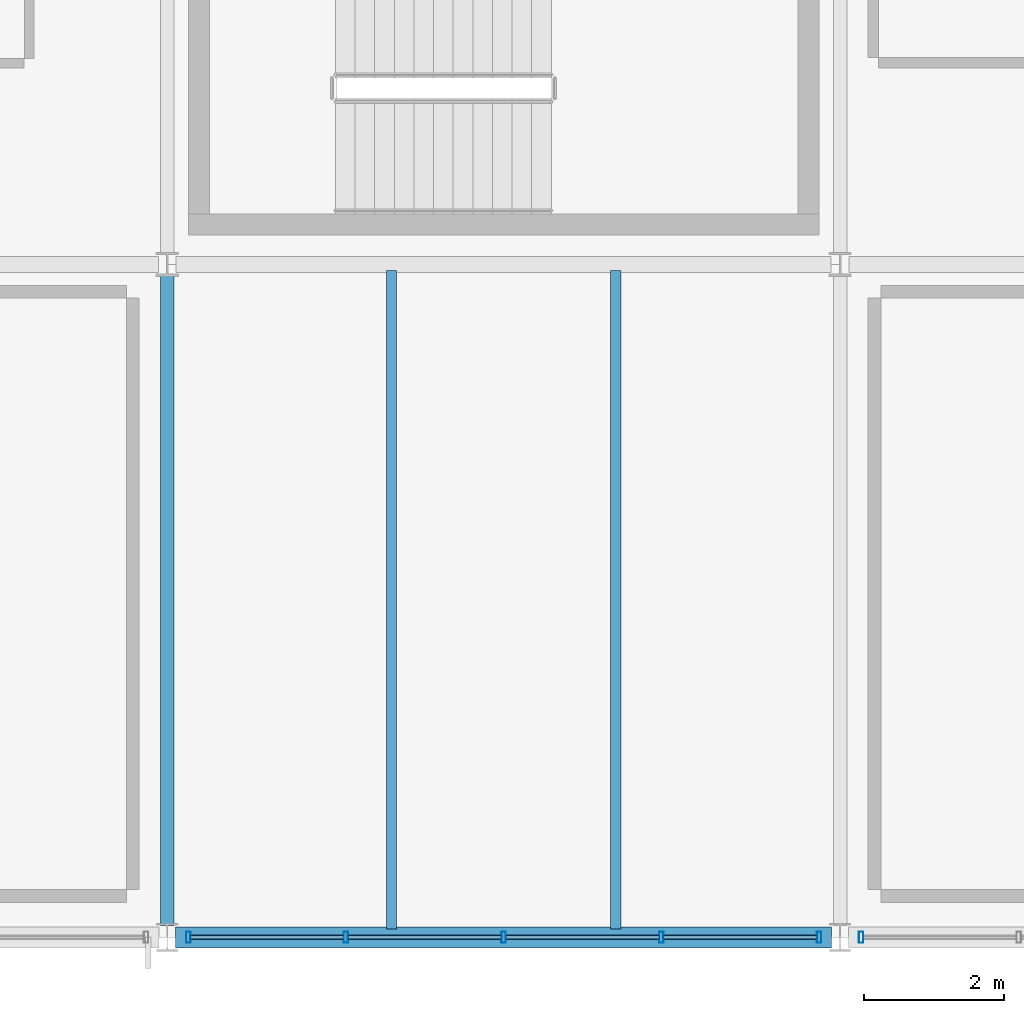
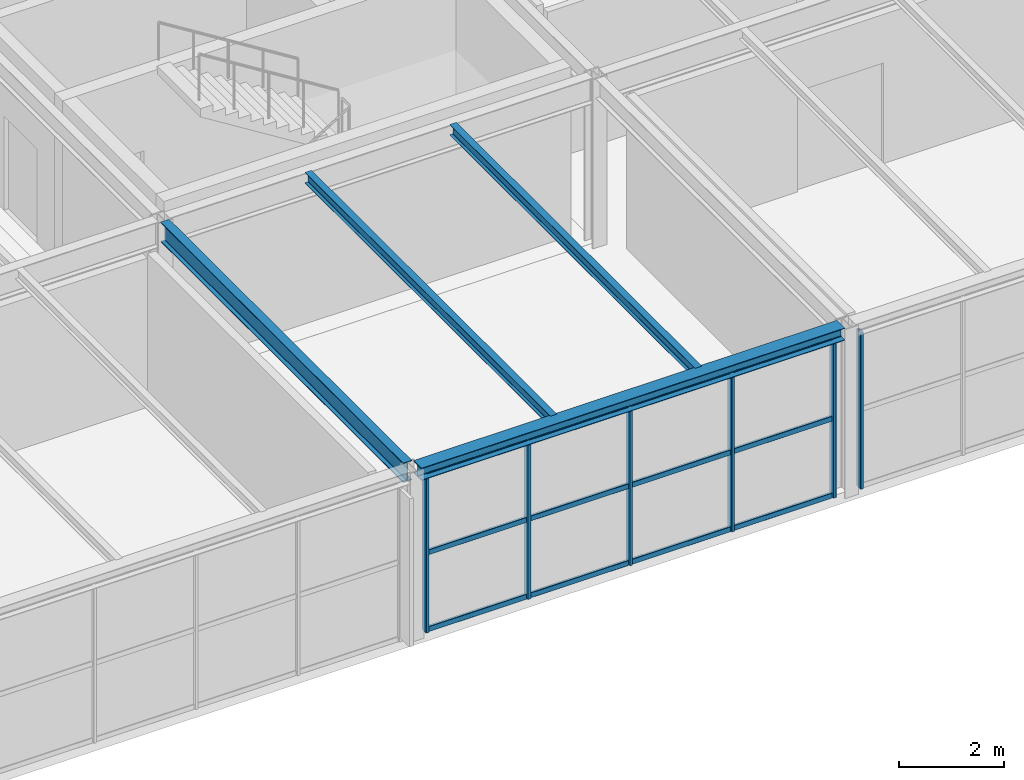
# One storey, part 27 of 126: 18 members, 4 beams, 2 elements without a shape of their own.
"""IFC4 building model written with IfcOpenShell, lengths in metres."""

from ifc_helpers import new_model, si_unit, direction, frame, origin, origin_2d, place, context, subcontext, project, spatial, hollow_rectangle, i_section, extrude, material, material_profile, profile_set, type_object, element, aggregate, save


model = new_model("IFC4")

# Units and contexts
model_context = context("Model", 3, precision=1e-05, world=origin(), true_north=direction((0.0, 1.0)))
body_context = subcontext(model_context, "Body", "Model", "MODEL_VIEW")
ifc_project = project(units=[si_unit("LENGTHUNIT", "METRE"), si_unit("AREAUNIT", "SQUARE_METRE"), si_unit("VOLUMEUNIT", "CUBIC_METRE"), si_unit("PLANEANGLEUNIT", "RADIAN"), si_unit("MASSUNIT", "GRAM", prefix="KILO")], contexts=[model_context])

# Site, building, storey
site_placement = place(None, origin())
site = spatial("IfcSite", under=ifc_project, at=site_placement, CompositionType="ELEMENT")
building_placement = place(site_placement, origin())
building = spatial("IfcBuilding", under=site, at=building_placement, Name="Coralgate Yard Interchange", CompositionType="ELEMENT")
storey_placement = place(building_placement, frame((0.0, 0.0, 10.5)))
storey = spatial("IfcBuildingStorey", under=building, at=storey_placement, Name="L02", CompositionType="ELEMENT", Elevation=10.5)

# Beams
ifc_material_1 = material(Name="Structural steel S355J2", Category="steel")
ifc_material_profile_1 = material_profile(ifc_material_1, i_section(OverallWidth=0.1904296875, OverallDepth=0.45703125, WebThickness=0.009033203125, FlangeThickness=0.014404296875, FilletRadius=0.01025390625, at=origin_2d()), Name="UB 457x191x74")
ifc_profile_set_1 = profile_set([ifc_material_profile_1], Name="Structural steel S355J2")
beam_type_1 = type_object("IfcBeamType", Name="BM-SB-2", PredefinedType="BEAM", material=ifc_profile_set_1)
beam_1_placement = place(storey_placement, frame((48.0, 0.169921875, 3.721435546875), z_axis=(0.0, 1.0, 0.0), x_axis=(-1.0, 0.0, 0.0)))
element("IfcBeam", 1, at=beam_1_placement, inside=storey, type_object=beam_type_1, Name="L02 primary grid girder X5 Y0-1", PredefinedType="BEAM", context=body_context, shape_type="SweptSolid", body=[
    extrude(i_section(OverallWidth=0.1904296875, OverallDepth=0.45703125, WebThickness=0.009033203125, FlangeThickness=0.014404296875, FilletRadius=0.01025390625, at=origin_2d()), origin(), (0.0, 0.0, 1.0), 9.2900390625),
])
ifc_material_profile_2 = material_profile(ifc_material_1, i_section(OverallWidth=0.14599609375, OverallDepth=0.25146484375, WebThickness=0.006103515625, FlangeThickness=0.008544921875, FilletRadius=0.007568359375, at=origin_2d()), Name="UB 254x146x31")
ifc_profile_set_2 = profile_set([ifc_material_profile_2], Name="Structural steel S355J2")
beam_type_2 = type_object("IfcBeamType", Name="BM-SJ-2", PredefinedType="JOIST", material=ifc_profile_set_2)
for number, where, z_axis, x_axis, name in (
    (2, (51.199951171875, 0.1201171875, 3.82421875), (0.0, 1.0, 0.0), (-1.0, 0.0, 0.0), "L02 composite floor joist 5-0-1"),
    (3, (54.39990234375, 0.1201171875, 3.82421875), (0.0, 1.0, 0.0), (-1.0, 0.0, 0.0), "L02 composite floor joist 5-0-2"),
):
    element("IfcBeam", number, at=place(storey_placement, frame(where, z_axis=z_axis, x_axis=x_axis)), inside=storey, type_object=beam_type_2, Name=name, PredefinedType="JOIST", context=body_context, shape_type="SweptSolid", body=[
        extrude(i_section(OverallWidth=0.14599609375, OverallDepth=0.25146484375, WebThickness=0.006103515625, FlangeThickness=0.008544921875, FilletRadius=0.007568359375, at=origin_2d()), origin(), (0.0, 0.0, 1.0), 9.395751953125),
    ])
ifc_material_profile_3 = material_profile(ifc_material_1, i_section(OverallWidth=0.300048828125, OverallDepth=0.2900390625, WebThickness=0.008544921875, FlangeThickness=0.013916015625, FilletRadius=0.027099609375, at=origin_2d()), Name="HEA 300")
ifc_profile_set_3 = profile_set([ifc_material_profile_3], Name="Structural steel S355J2")
beam_type_3 = type_object("IfcBeamType", Name="BM-SP-2", PredefinedType="SPANDREL", material=ifc_profile_set_3)
beam_2_placement = place(storey_placement, frame((48.1201171875, 0.0, 3.804931640625), z_axis=(1.0, 0.0, 0.0), x_axis=(0.0, 1.0, 0.0)))
element("IfcBeam", 4, at=beam_2_placement, inside=storey, type_object=beam_type_3, Name="L02 primary grid beam Y0 X5-6", PredefinedType="SPANDREL", context=body_context, shape_type="SweptSolid", body=[
    extrude(i_section(OverallWidth=0.300048828125, OverallDepth=0.2900390625, WebThickness=0.008544921875, FlangeThickness=0.013916015625, FilletRadius=0.027099609375, at=origin_2d()), origin(), (0.0, 0.0, 1.0), 9.35986328125),
])

# Curtain wall, members
ifc_material_2 = material(Name="Anodised coastal aluminium and solar-control low-E glass", Category="aluminium")
curtain_wall_type = type_object("IfcCurtainWallType", Name="CW-CW-L02-A", PredefinedType="NOTDEFINED", material=ifc_material_2)
curtain_wall_1_placement = place(storey_placement, origin())
curtain_wall_1 = element("IfcCurtainWall", 5, at=curtain_wall_1_placement, inside=storey, type_object=curtain_wall_type, Name="L02 unitised curtain wall CW-L02-S-05-00", PredefinedType="NOTDEFINED")
ifc_material_3 = material(Name="Anodised coastal aluminium 6063-T6", Category="aluminium")
ifc_material_profile_4 = material_profile(ifc_material_3, hollow_rectangle(XDim=0.06494140625, YDim=0.159912109375, WallThickness=0.00390625, InnerFilletRadius=0.00390625, OuterFilletRadius=0.008056640625, at=origin_2d()), Name="ALU 65x160x4")
ifc_profile_set_4 = profile_set([ifc_material_profile_4], Name="Anodised coastal aluminium 6063-T6")
member_type_1 = type_object("IfcMemberType", Name="MB-MUL-160", PredefinedType="MULLION", material=ifc_profile_set_4)
member_1_placement = place(storey_placement, frame((57.300048828125, 0.0, 0.0), z_axis=(0.0, 0.0, 1.0), x_axis=(1.0, 0.0, 0.0)))
member_1 = element("IfcMember", 6, at=member_1_placement, type_object=member_type_1, Name="CW-L02-S-05-00 vertical mullion 1", PredefinedType="MULLION", context=body_context, shape_type="SweptSolid", body=[
    extrude(hollow_rectangle(XDim=0.06494140625, YDim=0.159912109375, WallThickness=0.00390625, InnerFilletRadius=0.00390625, OuterFilletRadius=0.008056640625, at=origin_2d()), origin(), (0.0, 0.0, 1.0), 3.659912109375),
])
member_2_placement = place(storey_placement, frame((55.050048828125, 0.0, 0.0), z_axis=(0.0, 0.0, 1.0), x_axis=(1.0, 0.0, 0.0)))
member_2 = element("IfcMember", 7, at=member_2_placement, type_object=member_type_1, Name="CW-L02-S-05-00 vertical mullion 2", PredefinedType="MULLION", context=body_context, shape_type="SweptSolid", body=[
    extrude(hollow_rectangle(XDim=0.06494140625, YDim=0.159912109375, WallThickness=0.00390625, InnerFilletRadius=0.00390625, OuterFilletRadius=0.008056640625, at=origin_2d()), origin(), (0.0, 0.0, 1.0), 3.659912109375),
])
member_3_placement = place(storey_placement, frame((52.800048828125, 0.0, 0.0), z_axis=(0.0, 0.0, 1.0), x_axis=(1.0, 0.0, 0.0)))
member_3 = element("IfcMember", 8, at=member_3_placement, type_object=member_type_1, Name="CW-L02-S-05-00 vertical mullion 3", PredefinedType="MULLION", context=body_context, shape_type="SweptSolid", body=[
    extrude(hollow_rectangle(XDim=0.06494140625, YDim=0.159912109375, WallThickness=0.00390625, InnerFilletRadius=0.00390625, OuterFilletRadius=0.008056640625, at=origin_2d()), origin(), (0.0, 0.0, 1.0), 3.659912109375),
])
member_4_placement = place(storey_placement, frame((50.550048828125, 0.0, 0.0), z_axis=(0.0, 0.0, 1.0), x_axis=(1.0, 0.0, 0.0)))
member_4 = element("IfcMember", 9, at=member_4_placement, type_object=member_type_1, Name="CW-L02-S-05-00 vertical mullion 4", PredefinedType="MULLION", context=body_context, shape_type="SweptSolid", body=[
    extrude(hollow_rectangle(XDim=0.06494140625, YDim=0.159912109375, WallThickness=0.00390625, InnerFilletRadius=0.00390625, OuterFilletRadius=0.008056640625, at=origin_2d()), origin(), (0.0, 0.0, 1.0), 3.659912109375),
])
member_5_placement = place(storey_placement, frame((48.300048828125, 0.0, 0.0), z_axis=(0.0, 0.0, 1.0), x_axis=(1.0, 0.0, 0.0)))
member_5 = element("IfcMember", 10, at=member_5_placement, type_object=member_type_1, Name="CW-L02-S-05-00 vertical mullion 5", PredefinedType="MULLION", context=body_context, shape_type="SweptSolid", body=[
    extrude(hollow_rectangle(XDim=0.06494140625, YDim=0.159912109375, WallThickness=0.00390625, InnerFilletRadius=0.00390625, OuterFilletRadius=0.008056640625, at=origin_2d()), origin(), (0.0, 0.0, 1.0), 3.659912109375),
])

# Curtain wall, member
curtain_wall_2_placement = place(storey_placement, origin())
curtain_wall_2 = element("IfcCurtainWall", 11, at=curtain_wall_2_placement, inside=storey, type_object=curtain_wall_type, Name="L02 unitised curtain wall CW-L02-S-06-00", PredefinedType="NOTDEFINED")
member_6_placement = place(storey_placement, frame((57.89990234375, 0.0, 0.0), z_axis=(0.0, 0.0, 1.0), x_axis=(1.0, 0.0, 0.0)))
member_6 = element("IfcMember", 12, at=member_6_placement, type_object=member_type_1, Name="CW-L02-S-06-00 vertical mullion 5", PredefinedType="MULLION", context=body_context, shape_type="SweptSolid", body=[
    extrude(hollow_rectangle(XDim=0.06494140625, YDim=0.159912109375, WallThickness=0.00390625, InnerFilletRadius=0.00390625, OuterFilletRadius=0.008056640625, at=origin_2d()), origin(), (0.0, 0.0, 1.0), 3.659912109375),
])
aggregate(curtain_wall_2, [member_6])

# Member
ifc_material_profile_5 = material_profile(ifc_material_3, hollow_rectangle(XDim=0.06005859375, YDim=0.1201171875, WallThickness=0.00341796875, InnerFilletRadius=0.00341796875, OuterFilletRadius=0.007080078125, at=origin_2d()), Name="ALU 60x120x3.5")
ifc_profile_set_5 = profile_set([ifc_material_profile_5], Name="Anodised coastal aluminium 6063-T6")
member_type_2 = type_object("IfcMemberType", Name="MB-TRN-120", PredefinedType="USERDEFINED", material=ifc_profile_set_5)
member_7_placement = place(storey_placement, frame((57.27001953125, 0.0, 0.034912109375), z_axis=(-1.0, 0.0, 0.0), x_axis=(0.0, -1.0, 0.0)))
member_7 = element("IfcMember", 13, at=member_7_placement, type_object=member_type_2, Name="CW-L02-S-05-00 horizontal transom 1-1", ObjectType="TRANSOM", PredefinedType="USERDEFINED", context=body_context, shape_type="SweptSolid", body=[
    extrude(hollow_rectangle(XDim=0.06005859375, YDim=0.1201171875, WallThickness=0.00341796875, InnerFilletRadius=0.00341796875, OuterFilletRadius=0.007080078125, at=origin_2d()), origin(), (0.0, 0.0, 1.0), 2.18994140625),
])

member_8_placement = place(storey_placement, frame((57.27001953125, 0.0, 1.830078125), z_axis=(-1.0, 0.0, 0.0), x_axis=(0.0, -1.0, 0.0)))
member_8 = element("IfcMember", 14, at=member_8_placement, type_object=member_type_2, Name="CW-L02-S-05-00 horizontal transom 1-2", ObjectType="TRANSOM", PredefinedType="USERDEFINED", context=body_context, shape_type="SweptSolid", body=[
    extrude(hollow_rectangle(XDim=0.06005859375, YDim=0.1201171875, WallThickness=0.00341796875, InnerFilletRadius=0.00341796875, OuterFilletRadius=0.007080078125, at=origin_2d()), origin(), (0.0, 0.0, 1.0), 2.18994140625),
])

member_9_placement = place(storey_placement, frame((57.27001953125, 0.0, 3.625), z_axis=(-1.0, 0.0, 0.0), x_axis=(0.0, -1.0, 0.0)))
member_9 = element("IfcMember", 15, at=member_9_placement, type_object=member_type_2, Name="CW-L02-S-05-00 horizontal transom 1-3", ObjectType="TRANSOM", PredefinedType="USERDEFINED", context=body_context, shape_type="SweptSolid", body=[
    extrude(hollow_rectangle(XDim=0.06005859375, YDim=0.1201171875, WallThickness=0.00341796875, InnerFilletRadius=0.00341796875, OuterFilletRadius=0.007080078125, at=origin_2d()), origin(), (0.0, 0.0, 1.0), 2.18994140625),
])

member_10_placement = place(storey_placement, frame((55.02001953125, 0.0, 0.034912109375), z_axis=(-1.0, 0.0, 0.0), x_axis=(0.0, -1.0, 0.0)))
member_10 = element("IfcMember", 16, at=member_10_placement, type_object=member_type_2, Name="CW-L02-S-05-00 horizontal transom 2-1", ObjectType="TRANSOM", PredefinedType="USERDEFINED", context=body_context, shape_type="SweptSolid", body=[
    extrude(hollow_rectangle(XDim=0.06005859375, YDim=0.1201171875, WallThickness=0.00341796875, InnerFilletRadius=0.00341796875, OuterFilletRadius=0.007080078125, at=origin_2d()), origin(), (0.0, 0.0, 1.0), 2.18994140625),
])

member_11_placement = place(storey_placement, frame((55.02001953125, 0.0, 1.830078125), z_axis=(-1.0, 0.0, 0.0), x_axis=(0.0, -1.0, 0.0)))
member_11 = element("IfcMember", 17, at=member_11_placement, type_object=member_type_2, Name="CW-L02-S-05-00 horizontal transom 2-2", ObjectType="TRANSOM", PredefinedType="USERDEFINED", context=body_context, shape_type="SweptSolid", body=[
    extrude(hollow_rectangle(XDim=0.06005859375, YDim=0.1201171875, WallThickness=0.00341796875, InnerFilletRadius=0.00341796875, OuterFilletRadius=0.007080078125, at=origin_2d()), origin(), (0.0, 0.0, 1.0), 2.18994140625),
])

member_12_placement = place(storey_placement, frame((55.02001953125, 0.0, 3.625), z_axis=(-1.0, 0.0, 0.0), x_axis=(0.0, -1.0, 0.0)))
member_12 = element("IfcMember", 18, at=member_12_placement, type_object=member_type_2, Name="CW-L02-S-05-00 horizontal transom 2-3", ObjectType="TRANSOM", PredefinedType="USERDEFINED", context=body_context, shape_type="SweptSolid", body=[
    extrude(hollow_rectangle(XDim=0.06005859375, YDim=0.1201171875, WallThickness=0.00341796875, InnerFilletRadius=0.00341796875, OuterFilletRadius=0.007080078125, at=origin_2d()), origin(), (0.0, 0.0, 1.0), 2.18994140625),
])

member_13_placement = place(storey_placement, frame((52.77001953125, 0.0, 0.034912109375), z_axis=(-1.0, 0.0, 0.0), x_axis=(0.0, -1.0, 0.0)))
member_13 = element("IfcMember", 19, at=member_13_placement, type_object=member_type_2, Name="CW-L02-S-05-00 horizontal transom 3-1", ObjectType="TRANSOM", PredefinedType="USERDEFINED", context=body_context, shape_type="SweptSolid", body=[
    extrude(hollow_rectangle(XDim=0.06005859375, YDim=0.1201171875, WallThickness=0.00341796875, InnerFilletRadius=0.00341796875, OuterFilletRadius=0.007080078125, at=origin_2d()), origin(), (0.0, 0.0, 1.0), 2.18994140625),
])

member_14_placement = place(storey_placement, frame((52.77001953125, 0.0, 1.830078125), z_axis=(-1.0, 0.0, 0.0), x_axis=(0.0, -1.0, 0.0)))
member_14 = element("IfcMember", 20, at=member_14_placement, type_object=member_type_2, Name="CW-L02-S-05-00 horizontal transom 3-2", ObjectType="TRANSOM", PredefinedType="USERDEFINED", context=body_context, shape_type="SweptSolid", body=[
    extrude(hollow_rectangle(XDim=0.06005859375, YDim=0.1201171875, WallThickness=0.00341796875, InnerFilletRadius=0.00341796875, OuterFilletRadius=0.007080078125, at=origin_2d()), origin(), (0.0, 0.0, 1.0), 2.18994140625),
])

member_15_placement = place(storey_placement, frame((52.77001953125, 0.0, 3.625), z_axis=(-1.0, 0.0, 0.0), x_axis=(0.0, -1.0, 0.0)))
member_15 = element("IfcMember", 21, at=member_15_placement, type_object=member_type_2, Name="CW-L02-S-05-00 horizontal transom 3-3", ObjectType="TRANSOM", PredefinedType="USERDEFINED", context=body_context, shape_type="SweptSolid", body=[
    extrude(hollow_rectangle(XDim=0.06005859375, YDim=0.1201171875, WallThickness=0.00341796875, InnerFilletRadius=0.00341796875, OuterFilletRadius=0.007080078125, at=origin_2d()), origin(), (0.0, 0.0, 1.0), 2.18994140625),
])

member_16_placement = place(storey_placement, frame((50.52001953125, 0.0, 0.034912109375), z_axis=(-1.0, 0.0, 0.0), x_axis=(0.0, -1.0, 0.0)))
member_16 = element("IfcMember", 22, at=member_16_placement, type_object=member_type_2, Name="CW-L02-S-05-00 horizontal transom 4-1", ObjectType="TRANSOM", PredefinedType="USERDEFINED", context=body_context, shape_type="SweptSolid", body=[
    extrude(hollow_rectangle(XDim=0.06005859375, YDim=0.1201171875, WallThickness=0.00341796875, InnerFilletRadius=0.00341796875, OuterFilletRadius=0.007080078125, at=origin_2d()), origin(), (0.0, 0.0, 1.0), 2.18994140625),
])

member_17_placement = place(storey_placement, frame((50.52001953125, 0.0, 1.830078125), z_axis=(-1.0, 0.0, 0.0), x_axis=(0.0, -1.0, 0.0)))
member_17 = element("IfcMember", 23, at=member_17_placement, type_object=member_type_2, Name="CW-L02-S-05-00 horizontal transom 4-2", ObjectType="TRANSOM", PredefinedType="USERDEFINED", context=body_context, shape_type="SweptSolid", body=[
    extrude(hollow_rectangle(XDim=0.06005859375, YDim=0.1201171875, WallThickness=0.00341796875, InnerFilletRadius=0.00341796875, OuterFilletRadius=0.007080078125, at=origin_2d()), origin(), (0.0, 0.0, 1.0), 2.18994140625),
])

member_18_placement = place(storey_placement, frame((50.52001953125, 0.0, 3.625), z_axis=(-1.0, 0.0, 0.0), x_axis=(0.0, -1.0, 0.0)))
member_18 = element("IfcMember", 24, at=member_18_placement, type_object=member_type_2, Name="CW-L02-S-05-00 horizontal transom 4-3", ObjectType="TRANSOM", PredefinedType="USERDEFINED", context=body_context, shape_type="SweptSolid", body=[
    extrude(hollow_rectangle(XDim=0.06005859375, YDim=0.1201171875, WallThickness=0.00341796875, InnerFilletRadius=0.00341796875, OuterFilletRadius=0.007080078125, at=origin_2d()), origin(), (0.0, 0.0, 1.0), 2.18994140625),
])

aggregate(curtain_wall_1, [member_1, member_2, member_3, member_4, member_5, member_7, member_8, member_9, member_10, member_11, member_12, member_13, member_14, member_15, member_16, member_17, member_18])

save(model, "model.ifc")
